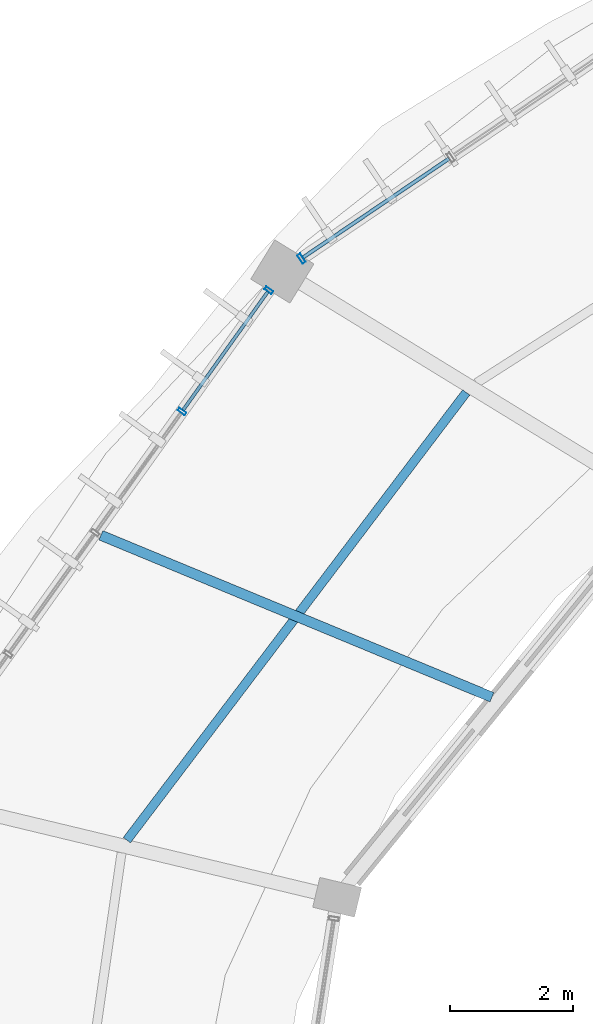
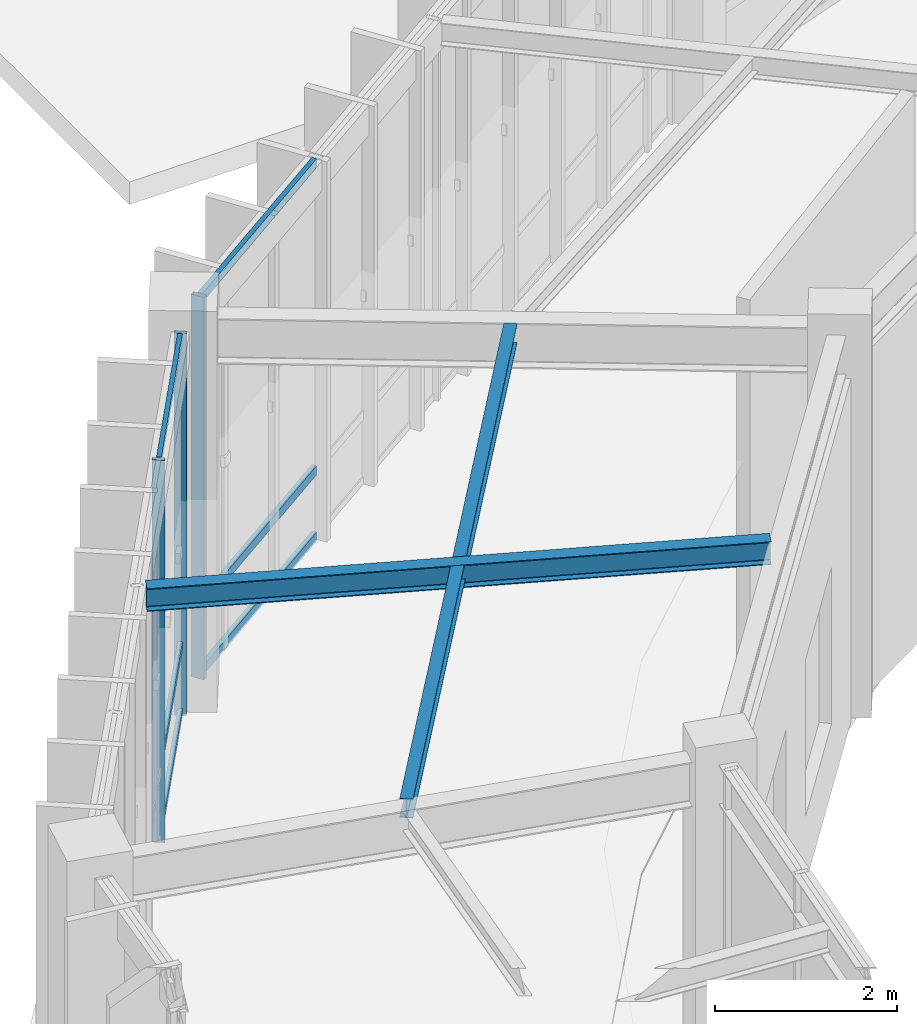
# One storey, part 50 of 157: 9 members, 2 beams, 2 elements without a shape of their own.
"""IFC4 building model written with IfcOpenShell, lengths in metres."""

from ifc_helpers import new_model, si_unit, direction, frame, origin, origin_2d, place, context, subcontext, project, spatial, hollow_rectangle, i_section, extrude, material, material_profile, profile_set, type_object, element, aggregate, save


model = new_model("IFC4")

# Units and contexts
model_context = context("Model", 3, precision=1e-05, world=origin(), true_north=direction((0.0, 1.0)))
body_context = subcontext(model_context, "Body", "Model", "MODEL_VIEW")
ifc_project = project(units=[si_unit("LENGTHUNIT", "METRE"), si_unit("AREAUNIT", "SQUARE_METRE"), si_unit("VOLUMEUNIT", "CUBIC_METRE"), si_unit("PLANEANGLEUNIT", "RADIAN"), si_unit("MASSUNIT", "GRAM", prefix="KILO"), si_unit("THERMODYNAMICTEMPERATUREUNIT", "KELVIN"), si_unit("POWERUNIT", "WATT")], contexts=[model_context])

# Site, building, storey
site_placement = place(None, origin())
site = spatial("IfcSite", under=ifc_project, at=site_placement, CompositionType="ELEMENT")
building_placement = place(site_placement, origin())
building = spatial("IfcBuilding", under=site, at=building_placement, Name="Darbajah Civic Hall", CompositionType="ELEMENT")
storey_placement = place(building_placement, origin())
storey = spatial("IfcBuildingStorey", under=building, at=storey_placement, Name="L00", CompositionType="ELEMENT", Elevation=0.0)

# Curtain wall, members
ifc_material_1 = material(Name="Anodised Bronze Aluminium and Low-E Glazing", Category="aluminium")
curtain_wall_type_1 = type_object("IfcCurtainWallType", Name="Unitised Curtain Wall CW-09 9700x5100", PredefinedType="USERDEFINED", material=ifc_material_1)
curtain_wall_1_placement = place(storey_placement, origin())
curtain_wall_1 = element("IfcCurtainWall", 1, at=curtain_wall_1_placement, inside=storey, type_object=curtain_wall_type_1, Name="L00 unitised curtain wall CW-V1O-L00-08", ObjectType="UNITISED CURTAIN WALL", PredefinedType="USERDEFINED")
ifc_material_2 = material(Name="Anodised Bronze Aluminium", Category="aluminium")
ifc_material_profile_1 = material_profile(ifc_material_2, hollow_rectangle(XDim=0.054931640625, YDim=0.139892578125, WallThickness=0.003173828125, at=origin_2d()), Name="ALU MULLION 55x140")
ifc_profile_set_1 = profile_set([ifc_material_profile_1], Name="Anodised Bronze Aluminium")
member_type_1 = type_object("IfcMemberType", Name="ALU MULLION 55x140", PredefinedType="MULLION", material=ifc_profile_set_1)
member_1_placement = place(storey_placement, frame((45.39599609375, 104.9072265625, 0.0), z_axis=(0.0, 0.0, 1.0), x_axis=(-0.582264874145, -0.812999149039, 0.0)))
member_1 = element("IfcMember", 2, at=member_1_placement, type_object=member_type_1, Name="CW-V1O-L00-08 mullion 1", PredefinedType="MULLION", context=body_context, shape_type="SweptSolid", body=[
    extrude(hollow_rectangle(XDim=0.054931640625, YDim=0.139892578125, WallThickness=0.003173828125, at=origin_2d()), origin(), (0.0, 0.0, 1.0), 5.1201171875),
])
member_2_placement = place(storey_placement, frame((43.97900390625, 102.9287109375, 0.0), z_axis=(0.0, 0.0, 1.0), x_axis=(-0.582264874145, -0.812999149039, 0.0)))
member_2 = element("IfcMember", 3, at=member_2_placement, type_object=member_type_1, Name="CW-V1O-L00-08 mullion 2", PredefinedType="MULLION", context=body_context, shape_type="SweptSolid", body=[
    extrude(hollow_rectangle(XDim=0.054931640625, YDim=0.139892578125, WallThickness=0.003173828125, at=origin_2d()), origin(), (0.0, 0.0, 1.0), 5.1201171875),
])

# Curtain wall, member
curtain_wall_type_2 = type_object("IfcCurtainWallType", Name="Unitised Curtain Wall CW-08 11800x5100", PredefinedType="USERDEFINED", material=ifc_material_1)
curtain_wall_2_placement = place(storey_placement, origin())
curtain_wall_2 = element("IfcCurtainWall", 4, at=curtain_wall_2_placement, inside=storey, type_object=curtain_wall_type_2, Name="L00 unitised curtain wall CW-V1O-L00-07", ObjectType="UNITISED CURTAIN WALL", PredefinedType="USERDEFINED")
ifc_material_profile_2 = material_profile(ifc_material_2, hollow_rectangle(XDim=0.06005859375, YDim=0.159912109375, WallThickness=0.00341796875, at=origin_2d()), Name="ALU MULLION 60x160")
ifc_profile_set_2 = profile_set([ifc_material_profile_2], Name="Anodised Bronze Aluminium")
member_type_2 = type_object("IfcMemberType", Name="ALU MULLION 60x160", PredefinedType="MULLION", material=ifc_profile_set_2)
member_3_placement = place(storey_placement, frame((45.927490234375, 105.425048828125, 0.0), z_axis=(0.0, 0.0, 1.0), x_axis=(-0.827962472047, -0.560783509816, 0.0)))
member_3 = element("IfcMember", 5, at=member_3_placement, type_object=member_type_2, Name="CW-V1O-L00-07 mullion 5", PredefinedType="MULLION", context=body_context, shape_type="SweptSolid", body=[
    extrude(hollow_rectangle(XDim=0.06005859375, YDim=0.159912109375, WallThickness=0.00341796875, at=origin_2d()), origin(), (0.0, 0.0, 1.0), 5.1201171875),
])

# Member
ifc_material_profile_3 = material_profile(ifc_material_2, hollow_rectangle(XDim=0.054931640625, YDim=0.10009765625, WallThickness=0.0029296875, at=origin_2d()), Name="ALU TRANSOM 55x100")
ifc_profile_set_3 = profile_set([ifc_material_profile_3], Name="Anodised Bronze Aluminium")
member_type_3 = type_object("IfcMemberType", Name="ALU TRANSOM 55x100", PredefinedType="USERDEFINED", material=ifc_profile_set_3)
member_4_placement = place(storey_placement, frame((45.376953125, 104.880859375, 0.050048828125), z_axis=(-0.582173851655, -0.813064331065, 0.0), x_axis=(0.813064331065, -0.582173851655, 0.0)))
member_4 = element("IfcMember", 6, at=member_4_placement, type_object=member_type_3, Name="CW-V1O-L00-08 transom 1.1", ObjectType="TRANSOM", PredefinedType="USERDEFINED", context=body_context, shape_type="SweptSolid", body=[
    extrude(hollow_rectangle(XDim=0.054931640625, YDim=0.10009765625, WallThickness=0.0029296875, at=origin_2d()), origin(), (0.0, 0.0, 1.0), 2.36865234375),
])

member_5_placement = place(storey_placement, frame((45.376953125, 104.880859375, 0.949951171875), z_axis=(-0.582173851655, -0.813064331065, 0.0), x_axis=(0.813064331065, -0.582173851655, 0.0)))
member_5 = element("IfcMember", 7, at=member_5_placement, type_object=member_type_3, Name="CW-V1O-L00-08 transom 1.2", ObjectType="TRANSOM", PredefinedType="USERDEFINED", context=body_context, shape_type="SweptSolid", body=[
    extrude(hollow_rectangle(XDim=0.054931640625, YDim=0.10009765625, WallThickness=0.0029296875, at=origin_2d()), origin(), (0.0, 0.0, 1.0), 2.36865234375),
])

member_6_placement = place(storey_placement, frame((45.376953125, 104.880859375, 5.070068359375), z_axis=(-0.582173851655, -0.813064331065, 0.0), x_axis=(0.813064331065, -0.582173851655, 0.0)))
member_6 = element("IfcMember", 8, at=member_6_placement, type_object=member_type_3, Name="CW-V1O-L00-08 transom 1.3", ObjectType="TRANSOM", PredefinedType="USERDEFINED", context=body_context, shape_type="SweptSolid", body=[
    extrude(hollow_rectangle(XDim=0.054931640625, YDim=0.10009765625, WallThickness=0.0029296875, at=origin_2d()), origin(), (0.0, 0.0, 1.0), 2.36865234375),
])

aggregate(curtain_wall_1, [member_1, member_2, member_4, member_5, member_6])

ifc_material_profile_4 = material_profile(ifc_material_2, hollow_rectangle(XDim=0.06005859375, YDim=0.1201171875, WallThickness=0.003173828125, at=origin_2d()), Name="ALU TRANSOM 60x120")
ifc_profile_set_4 = profile_set([ifc_material_profile_4], Name="Anodised Bronze Aluminium")
member_type_4 = type_object("IfcMemberType", Name="ALU TRANSOM 60x120", PredefinedType="USERDEFINED", material=ifc_profile_set_4)
member_7_placement = place(storey_placement, frame((48.3330078125, 107.05419921875, 0.06005859375), z_axis=(-0.827958184156, -0.560789840573, 0.0), x_axis=(0.560789840573, -0.827958184156, 0.0)))
member_7 = element("IfcMember", 9, at=member_7_placement, type_object=member_type_4, Name="CW-V1O-L00-07 transom 4.1", ObjectType="TRANSOM", PredefinedType="USERDEFINED", context=body_context, shape_type="SweptSolid", body=[
    extrude(hollow_rectangle(XDim=0.06005859375, YDim=0.1201171875, WallThickness=0.003173828125, at=origin_2d()), origin(), (0.0, 0.0, 1.0), 2.870361328125),
])

member_8_placement = place(storey_placement, frame((48.3330078125, 107.05419921875, 0.949951171875), z_axis=(-0.827958184156, -0.560789840573, 0.0), x_axis=(0.560789840573, -0.827958184156, 0.0)))
member_8 = element("IfcMember", 10, at=member_8_placement, type_object=member_type_4, Name="CW-V1O-L00-07 transom 4.2", ObjectType="TRANSOM", PredefinedType="USERDEFINED", context=body_context, shape_type="SweptSolid", body=[
    extrude(hollow_rectangle(XDim=0.06005859375, YDim=0.1201171875, WallThickness=0.003173828125, at=origin_2d()), origin(), (0.0, 0.0, 1.0), 2.870361328125),
])

member_9_placement = place(storey_placement, frame((48.3330078125, 107.05419921875, 5.06005859375), z_axis=(-0.827958184156, -0.560789840573, 0.0), x_axis=(0.560789840573, -0.827958184156, 0.0)))
member_9 = element("IfcMember", 11, at=member_9_placement, type_object=member_type_4, Name="CW-V1O-L00-07 transom 4.3", ObjectType="TRANSOM", PredefinedType="USERDEFINED", context=body_context, shape_type="SweptSolid", body=[
    extrude(hollow_rectangle(XDim=0.06005859375, YDim=0.1201171875, WallThickness=0.003173828125, at=origin_2d()), origin(), (0.0, 0.0, 1.0), 2.870361328125),
])

aggregate(curtain_wall_2, [member_3, member_7, member_8, member_9])

# Beams
ifc_material_3 = material(Name="Steel S355JR", Category="steel")
ifc_material_profile_5 = material_profile(ifc_material_3, i_section(OverallWidth=0.146484375, OverallDepth=0.256103515625, WebThickness=0.00634765625, FlangeThickness=0.010986328125, FilletRadius=0.007568359375, at=origin_2d()), Name="UB 254x146x37")
ifc_profile_set_5 = profile_set([ifc_material_profile_5], Name="Steel S355JR")
beam_type_1 = type_object("IfcBeamType", Name="UB 254x146x37", PredefinedType="JOIST", material=ifc_profile_set_5)
beam_1_placement = place(storey_placement, frame((48.61474609375, 103.240234375, 4.991943359375), z_axis=(-0.604114678665, -0.796897393032, 0.0), x_axis=(0.796897393032, -0.604114678665, 0.0)))
element("IfcBeam", 12, at=beam_1_placement, inside=storey, type_object=beam_type_1, Name="L00 beam SJ-254", PredefinedType="JOIST", context=body_context, shape_type="SweptSolid", body=[
    extrude(i_section(OverallWidth=0.146484375, OverallDepth=0.256103515625, WebThickness=0.00634765625, FlangeThickness=0.010986328125, FilletRadius=0.007568359375, at=origin_2d()), origin(), (0.0, 0.0, 1.0), 9.162353515625),
])
ifc_material_profile_6 = material_profile(ifc_material_3, i_section(OverallWidth=0.165771484375, OverallDepth=0.306640625, WebThickness=0.006591796875, FlangeThickness=0.01171875, FilletRadius=0.0087890625, at=origin_2d()), Name="UB 305x165x46")
ifc_profile_set_6 = profile_set([ifc_material_profile_6], Name="Steel S355JR")
beam_type_2 = type_object("IfcBeamType", Name="UB 305x165x46", PredefinedType="JOIST", material=ifc_profile_set_6)
beam_2_placement = place(storey_placement, frame((49.034423828125, 98.269287109375, 4.966796875), z_axis=(-0.923878471007, 0.382685995053, 0.0), x_axis=(-0.382685995053, -0.923878471007, 0.0)))
element("IfcBeam", 13, at=beam_2_placement, inside=storey, type_object=beam_type_2, Name="L00 beam SJ-305", PredefinedType="JOIST", context=body_context, shape_type="SweptSolid", body=[
    extrude(i_section(OverallWidth=0.165771484375, OverallDepth=0.306640625, WebThickness=0.006591796875, FlangeThickness=0.01171875, FilletRadius=0.0087890625, at=origin_2d()), origin(), (0.0, 0.0, 1.0), 6.9033203125),
])

save(model, "model.ifc")
